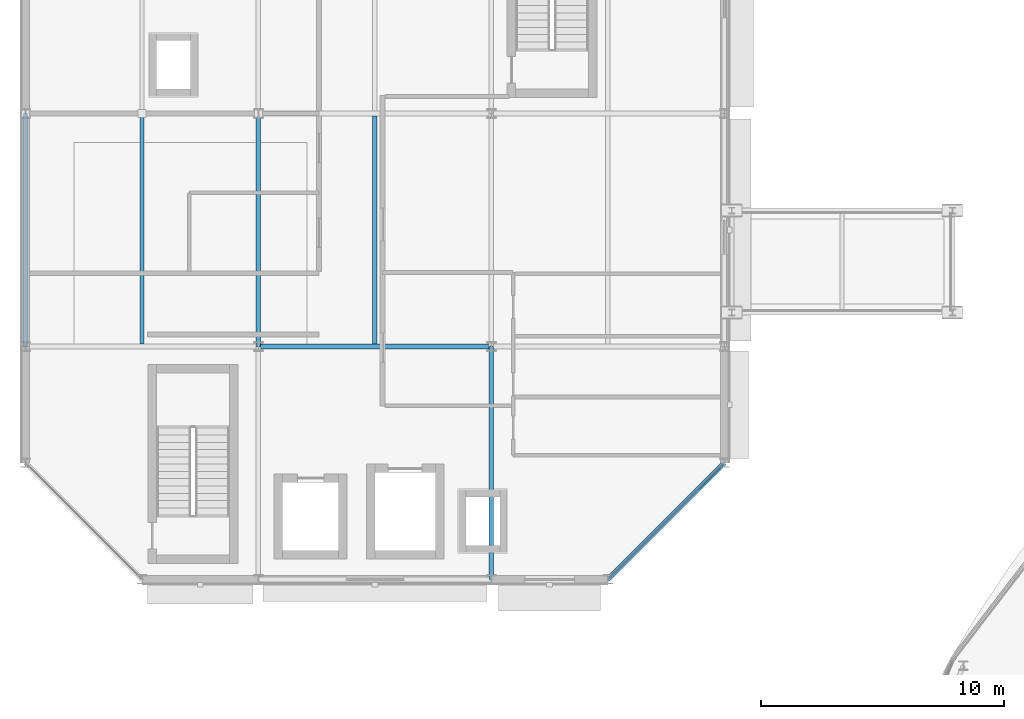
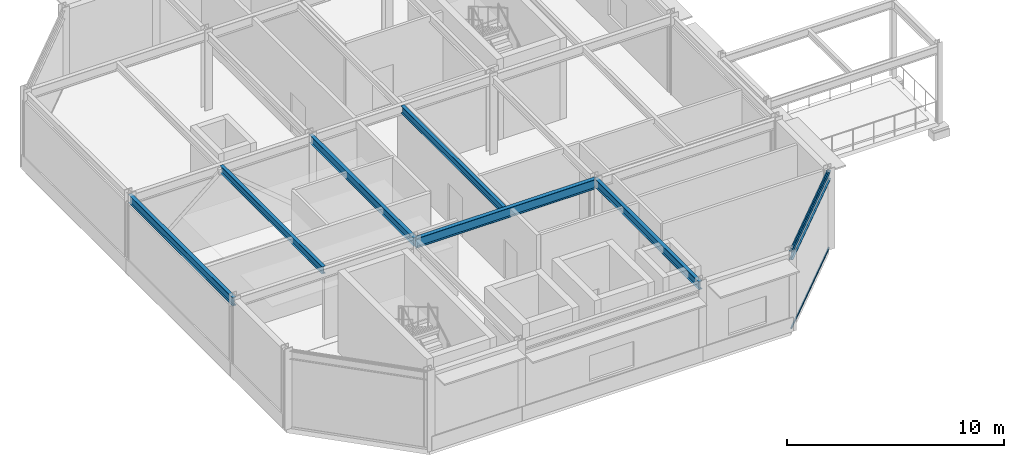
# One storey, part 55 of 157: 7 beams, 2 members, 1 element without a shape of its own.
"""IFC4 building model written with IfcOpenShell, lengths in metres."""

from ifc_helpers import new_model, si_unit, direction, frame, origin, origin_2d, place, context, subcontext, project, spatial, hollow_rectangle, i_section, extrude, material, material_profile, profile_set, type_object, element, aggregate, save


model = new_model("IFC4")

# Units and contexts
model_context = context("Model", 3, precision=1e-05, world=origin(), true_north=direction((0.0, 1.0)))
body_context = subcontext(model_context, "Body", "Model", "MODEL_VIEW")
ifc_project = project(units=[si_unit("LENGTHUNIT", "METRE"), si_unit("AREAUNIT", "SQUARE_METRE"), si_unit("VOLUMEUNIT", "CUBIC_METRE"), si_unit("PLANEANGLEUNIT", "RADIAN"), si_unit("MASSUNIT", "GRAM", prefix="KILO")], contexts=[model_context])

# Site, building, storey
site_placement = place(None, origin())
site = spatial("IfcSite", under=ifc_project, at=site_placement, CompositionType="ELEMENT")
building_placement = place(site_placement, origin())
building = spatial("IfcBuilding", under=site, at=building_placement, Name="Almandine Court Research Institute", CompositionType="ELEMENT")
storey_placement = place(building_placement, frame((0.0, 0.0, 5.25)))
storey = spatial("IfcBuildingStorey", under=building, at=storey_placement, Name="L01", CompositionType="ELEMENT", Elevation=5.25)

# Beams
ifc_material_1 = material(Name="Steel ASTM A992 Grade 50", Category="steel")
ifc_material_profile_1 = material_profile(ifc_material_1, i_section(OverallWidth=0.18994140625, OverallDepth=0.45703125, WebThickness=0.009033203125, FlangeThickness=0.014892578125, at=origin_2d()), Name="W460x74")
ifc_profile_set_1 = profile_set([ifc_material_profile_1], Name="Steel ASTM A992 Grade 50")
beam_type_1 = type_object("IfcBeamType", Name="Beam-B-01", PredefinedType="BEAM", material=ifc_profile_set_1)
beam_1_placement = place(storey_placement, frame((25.199951171875, 84.0, 4.14111328125), z_axis=(0.0, 1.0, 0.0), x_axis=(-1.0, 0.0, 0.0)))
element("IfcBeam", 1, at=beam_1_placement, inside=storey, type_object=beam_type_1, Name="L01 V3 Primary Y Girder", PredefinedType="BEAM", context=body_context, shape_type="SweptSolid", body=[
    extrude(i_section(OverallWidth=0.18994140625, OverallDepth=0.45703125, WebThickness=0.009033203125, FlangeThickness=0.014892578125, at=origin_2d()), origin(), (0.0, 0.0, 1.0), 9.60009765625),
])
beam_2_placement = place(storey_placement, frame((15.60009765625, 93.60009765625, 4.14111328125), z_axis=(0.0, 1.0, 0.0), x_axis=(-1.0, 0.0, 0.0)))
element("IfcBeam", 2, at=beam_2_placement, inside=storey, type_object=beam_type_1, Name="L01 V3 Primary Y Girder", PredefinedType="BEAM", context=body_context, shape_type="SweptSolid", body=[
    extrude(i_section(OverallWidth=0.18994140625, OverallDepth=0.45703125, WebThickness=0.009033203125, FlangeThickness=0.014892578125, at=origin_2d()), origin(), (0.0, 0.0, 1.0), 9.599853515625),
])
ifc_material_profile_2 = material_profile(ifc_material_1, i_section(OverallWidth=0.178955078125, OverallDepth=0.409912109375, WebThickness=0.009033203125, FlangeThickness=0.013916015625, at=origin_2d()), Name="W410x67")
ifc_profile_set_2 = profile_set([ifc_material_profile_2], Name="Steel ASTM A992 Grade 50")
beam_type_2 = type_object("IfcBeamType", Name="Beam-B-02", PredefinedType="JOIST", material=ifc_profile_set_2)
for number, where, z_axis, x_axis, name in (
    (3, (10.800048828125, 93.702880859375, 4.1650390625), (0.0, 1.0, 0.0), (-1.0, 0.0, 0.0), "L01 V3 Composite Secondary Beam"),
    (4, (20.39990234375, 93.702880859375, 4.1650390625), (0.0, 1.0, 0.0), (-1.0, 0.0, 0.0), "L01 V3 Composite Secondary Beam"),
):
    element("IfcBeam", number, at=place(storey_placement, frame(where, z_axis=z_axis, x_axis=x_axis)), inside=storey, type_object=beam_type_2, Name=name, PredefinedType="JOIST", context=body_context, shape_type="SweptSolid", body=[
        extrude(i_section(OverallWidth=0.178955078125, OverallDepth=0.409912109375, WebThickness=0.009033203125, FlangeThickness=0.013916015625, at=origin_2d()), origin(), (0.0, 0.0, 1.0), 9.39404296875),
    ])
ifc_material_profile_3 = material_profile(ifc_material_1, i_section(OverallWidth=0.2109375, OverallDepth=0.5390625, WebThickness=0.011962890625, FlangeThickness=0.01904296875, at=origin_2d()), Name="W530x109")
ifc_profile_set_3 = profile_set([ifc_material_profile_3], Name="Steel ASTM A992 Grade 50")
beam_type_3 = type_object("IfcBeamType", Name="Beam-G-04", PredefinedType="BEAM", material=ifc_profile_set_3)
beam_3_placement = place(storey_placement, frame((15.60009765625, 93.60009765625, 4.10009765625), z_axis=(1.0, 0.0, 0.0), x_axis=(0.0, 1.0, 0.0)))
element("IfcBeam", 5, at=beam_3_placement, inside=storey, type_object=beam_type_3, Name="L01 V3 Primary X Girder", PredefinedType="BEAM", context=body_context, shape_type="SweptSolid", body=[
    extrude(i_section(OverallWidth=0.2109375, OverallDepth=0.5390625, WebThickness=0.011962890625, FlangeThickness=0.01904296875, at=origin_2d()), origin(), (0.0, 0.0, 1.0), 9.599853515625),
])
ifc_material_profile_4 = material_profile(ifc_material_1, i_section(OverallWidth=0.193115234375, OverallDepth=0.466064453125, WebThickness=0.010986328125, FlangeThickness=0.01904296875, at=origin_2d()), Name="W460x97")
ifc_profile_set_4 = profile_set([ifc_material_profile_4], Name="Steel ASTM A992 Grade 50")
beam_type_4 = type_object("IfcBeamType", Name="Beam-G-06-E", PredefinedType="SPANDREL", material=ifc_profile_set_4)
beam_4_placement = place(storey_placement, frame((6.0, 93.60009765625, 4.136962890625), z_axis=(0.0, 1.0, 0.0), x_axis=(-1.0, 0.0, 0.0)))
element("IfcBeam", 6, at=beam_4_placement, inside=storey, type_object=beam_type_4, Name="L01 V3 Primary Y Girder", PredefinedType="SPANDREL", context=body_context, shape_type="SweptSolid", body=[
    extrude(i_section(OverallWidth=0.193115234375, OverallDepth=0.466064453125, WebThickness=0.010986328125, FlangeThickness=0.01904296875, at=origin_2d()), origin(), (0.0, 0.0, 1.0), 9.599853515625),
])
beam_5_placement = place(storey_placement, frame((30.0, 84.0, 4.136962890625), z_axis=(0.707106781187, 0.707106781187, 0.0), x_axis=(-0.707106781187, 0.707106781187, 0.0)))
element("IfcBeam", 7, at=beam_5_placement, inside=storey, type_object=beam_type_4, Name="L01 V3 Octagonal Chamfer Spandrel", PredefinedType="SPANDREL", context=body_context, shape_type="SweptSolid", body=[
    extrude(i_section(OverallWidth=0.193115234375, OverallDepth=0.466064453125, WebThickness=0.010986328125, FlangeThickness=0.01904296875, at=origin_2d()), origin(), (0.0, 0.0, 1.0), 6.788330078125),
])

# Curtain wall, members
ifc_material_2 = material(Name="Unitised Curtain Wall Framing and Solar Glazing", Category="glass")
curtain_wall_type = type_object("IfcCurtainWallType", Name="CW-CWG-05", PredefinedType="USERDEFINED", material=ifc_material_2)
curtain_wall_placement = place(storey_placement, origin())
curtain_wall = element("IfcCurtainWall", 8, at=curtain_wall_placement, inside=storey, type_object=curtain_wall_type, Name="L01 Cleanroom SE Chamfer Glazing", ObjectType="UNITISED GLAZING", PredefinedType="USERDEFINED")
ifc_material_3 = material(Name="Anodised Aluminium AW-6063-T6", Category="aluminium")
ifc_material_profile_5 = material_profile(ifc_material_3, hollow_rectangle(XDim=0.06005859375, YDim=0.110107421875, WallThickness=0.00390625, at=origin_2d()), Name="ALU RHS 60x110x4")
ifc_profile_set_5 = profile_set([ifc_material_profile_5], Name="Anodised Aluminium AW-6063-T6")
member_type = type_object("IfcMemberType", Name="CWTrn-60x110", PredefinedType="NOTDEFINED", material=ifc_profile_set_5)
member_1_placement = place(storey_placement, frame((34.753662109375, 88.753662109375, 0.030029296875), z_axis=(-0.707106781187, -0.707106781187, 0.0), x_axis=(0.707106781187, -0.707106781187, 0.0)))
member_1 = element("IfcMember", 9, at=member_1_placement, type_object=member_type, Name="CWG-05 transom 1.1", ObjectType="TRANSOM", PredefinedType="USERDEFINED", context=body_context, shape_type="SweptSolid", body=[
    extrude(hollow_rectangle(XDim=0.06005859375, YDim=0.110107421875, WallThickness=0.00390625, at=origin_2d()), origin(), (0.0, 0.0, 1.0), 6.656982421875),
])
member_2_placement = place(storey_placement, frame((34.753662109375, 88.753662109375, 4.340087890625), z_axis=(-0.707106781187, -0.707106781187, 0.0), x_axis=(0.707106781187, -0.707106781187, 0.0)))
member_2 = element("IfcMember", 10, at=member_2_placement, type_object=member_type, Name="CWG-05 transom 1.2", ObjectType="TRANSOM", PredefinedType="USERDEFINED", context=body_context, shape_type="SweptSolid", body=[
    extrude(hollow_rectangle(XDim=0.06005859375, YDim=0.110107421875, WallThickness=0.00390625, at=origin_2d()), origin(), (0.0, 0.0, 1.0), 6.656982421875),
])
aggregate(curtain_wall, [member_1, member_2])

save(model, "model.ifc")
